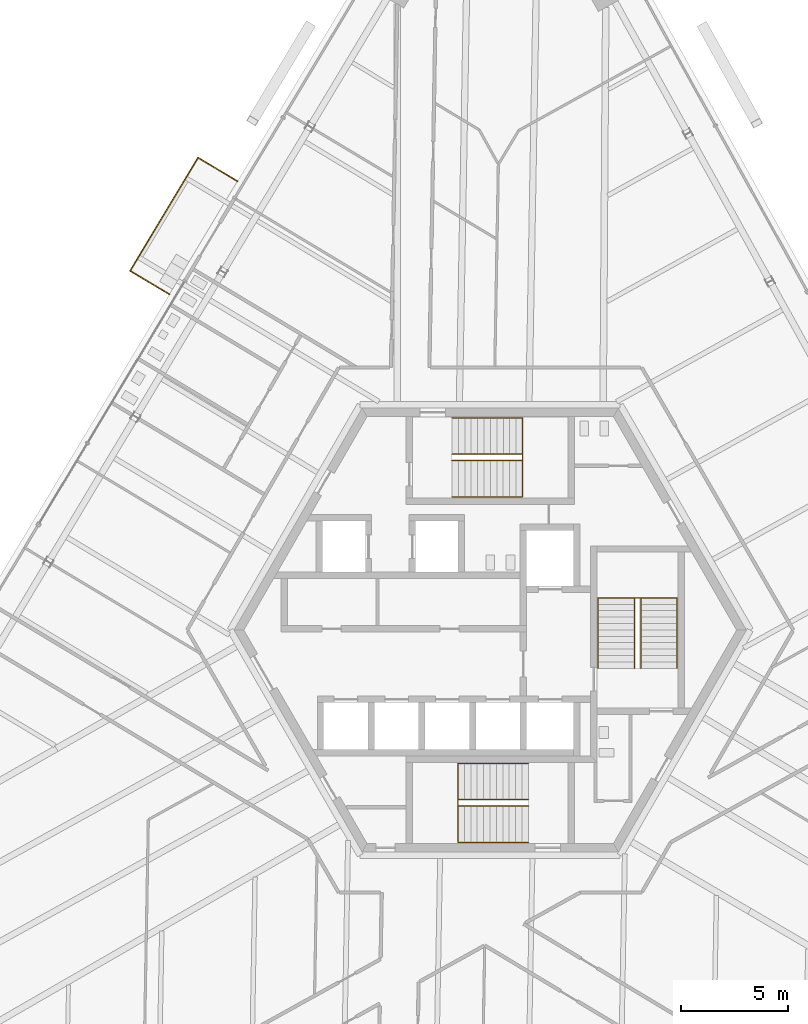
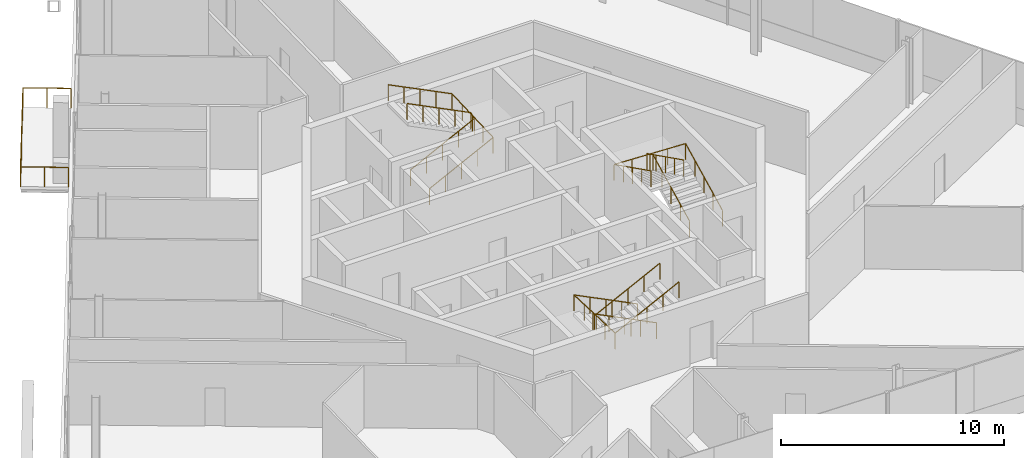
# One storey, part 16 of 19: 7 railings.
"""IFC4 building model written with IfcOpenShell, lengths in metres."""

import ifcopenshell
import ifcopenshell.guid

model = None  # the IFC model being written
_history = None  # IfcOwnerHistory: only IFC2X3 demands one
_inside = {}  # id of a spatial element -> (the spatial element, [elements in it])
_under = {}  # id of a project, library or spatial element -> (it, [spatial elements below it])
_declared = {}  # id of a project -> (the project, [libraries it declares])
_typed = {}  # id of a type object -> (the type object, [elements of that type])
_made_of = {}  # id of a material, layer set ... -> (it, [elements and type objects made of it])


def new_model(schema):
    """Start an empty IFC model of exactly this schema.

    Asked for "IFC4X3", IfcOpenShell would pick the latest addendum, in which some entities
    have other attributes; the version numbers below select the first issue.
    IFC2X3 requires an IfcOwnerHistory on every rooted entity: one is made here for all.
    """
    global model, _history
    if schema == "IFC4X3":
        model = ifcopenshell.file(schema_version=(4, 3, 0, 0))
    else:
        model = ifcopenshell.file(schema=schema)
    _inside.clear()
    _under.clear()
    _declared.clear()
    _typed.clear()
    _made_of.clear()
    _history = None
    if model.schema == "IFC2X3":
        org = make("IfcOrganization", Name="unknown")
        user = make(
            "IfcPersonAndOrganization",
            ThePerson=make("IfcPerson", FamilyName="unknown"),
            TheOrganization=org,
        )
        app = make(
            "IfcApplication",
            ApplicationDeveloper=org,
            Version="unknown",
            ApplicationFullName="unknown",
            ApplicationIdentifier="unknown",
        )
        _history = make(
            "IfcOwnerHistory",
            OwningUser=user,
            OwningApplication=app,
            ChangeAction="ADDED",
            CreationDate=0,
        )
    return model


def make(cls, **values):
    """One entity of the class cls with the attributes given. An attribute that is None is left unset."""
    return model.create_entity(
        cls, **{name: value for name, value in values.items() if value is not None}
    )


def rooted(cls, **values):
    """An entity with a GlobalId (a new one), such as an element, a storey or a relation."""
    return make(cls, GlobalId=ifcopenshell.guid.new(), OwnerHistory=_history, **values)


def si_unit(unit_type, name, prefix=None):
    """IfcSIUnit, for example si_unit("LENGTHUNIT", "METRE", prefix="MILLI")."""
    return make("IfcSIUnit", UnitType=unit_type, Prefix=prefix, Name=name)


def assignment(units):
    """IfcUnitAssignment: the units of a project."""
    return None if units is None else make("IfcUnitAssignment", Units=units)


def point(xyz):
    """IfcCartesianPoint."""
    return None if xyz is None else make("IfcCartesianPoint", Coordinates=xyz)


def direction(xyz):
    """IfcDirection."""
    return None if xyz is None else make("IfcDirection", DirectionRatios=xyz)


def frame(location, z_axis=None, x_axis=None):
    """IfcAxis2Placement3D, a coordinate frame: its origin and axes. An axis left out is left unset."""
    return make(
        "IfcAxis2Placement3D",
        Location=point(location),
        Axis=direction(z_axis),
        RefDirection=direction(x_axis),
    )


def frame_2d(location, x_axis=None):
    """IfcAxis2Placement2D, a coordinate frame in the plane: its origin and x axis."""
    return make(
        "IfcAxis2Placement2D", Location=point(location), RefDirection=direction(x_axis)
    )


def origin():
    """The frame at (0, 0, 0) with its axes left unset."""
    return frame((0.0, 0.0, 0.0))


def origin_2d():
    """The frame at (0, 0) in the plane with its x axis left unset."""
    return frame_2d((0.0, 0.0))


def place(relative_to, where):
    """IfcLocalPlacement: puts the frame where relative to a parent placement (None: the world)."""
    return make(
        "IfcLocalPlacement", PlacementRelTo=relative_to, RelativePlacement=where
    )


def context(
    kind, dimensions, precision=None, world=None, true_north=None, identifier=None
):
    """IfcGeometricRepresentationContext, for example the 3D "Model" context."""
    return make(
        "IfcGeometricRepresentationContext",
        ContextIdentifier=identifier,
        ContextType=kind,
        CoordinateSpaceDimension=dimensions,
        Precision=precision,
        WorldCoordinateSystem=world,
        TrueNorth=true_north,
    )


def subcontext(parent, identifier, kind, view, scale=None):
    """IfcGeometricRepresentationSubContext, for example "Body" below "Model"."""
    return make(
        "IfcGeometricRepresentationSubContext",
        ContextIdentifier=identifier,
        ContextType=kind,
        ParentContext=parent,
        TargetScale=scale,
        TargetView=view,
    )


def project(units=None, contexts=None):
    """IfcProject with its units and contexts."""
    return rooted(
        "IfcProject",
        Name="project",
        RepresentationContexts=contexts,
        UnitsInContext=assignment(units),
    )


def spatial(cls, under=None, at=None, **own):
    """A site, building, storey or space (cls), placed at a placement, below another one or the project."""
    s = rooted(cls, ObjectPlacement=at, **own)
    if under is not None:
        _under.setdefault(under.id(), (under, []))[1].append(s)
    return s


def profile(cls, at=None, kind="AREA", **sizes):
    """A parametric profile (cls). Its sizes go by their IFC names, for example OverallWidth=200.0."""
    return make(cls, ProfileType=kind, Position=at, **sizes)


def circle(**sizes):
    """IfcCircleProfileDef."""
    return profile("IfcCircleProfileDef", **sizes)


def extrude(swept, where, along, depth):
    """IfcExtrudedAreaSolid: the profile swept, set in the frame where, extruded along a direction by depth."""
    return make(
        "IfcExtrudedAreaSolid",
        SweptArea=swept,
        Position=where,
        ExtrudedDirection=direction(along),
        Depth=depth,
    )


def shape(context_of_items, identifier, shape_type, items):
    """IfcShapeRepresentation: the items that make up one representation, for example the "Body"."""
    return make(
        "IfcShapeRepresentation",
        ContextOfItems=context_of_items,
        RepresentationIdentifier=identifier,
        RepresentationType=shape_type,
        Items=items,
    )


def source(mapping_origin, context_of_items, identifier, shape_type, items):
    """IfcRepresentationMap: a shape defined once, which mapped items show again and again."""
    return make(
        "IfcRepresentationMap",
        MappingOrigin=mapping_origin,
        MappedRepresentation=shape(context_of_items, identifier, shape_type, items),
    )


def transform(
    local_origin,
    x_axis=None,
    y_axis=None,
    z_axis=None,
    scale=None,
    scale2=None,
    scale3=None,
    uniform=True,
):
    """IfcCartesianTransformationOperator3D, or its non-uniform kind. x_axis, y_axis, z_axis: its Axis1, 2, 3."""
    if uniform:
        return make(
            "IfcCartesianTransformationOperator3D",
            Axis1=direction(x_axis),
            Axis2=direction(y_axis),
            LocalOrigin=point(local_origin),
            Scale=scale,
            Axis3=direction(z_axis),
        )
    return make(
        "IfcCartesianTransformationOperator3DnonUniform",
        Axis1=direction(x_axis),
        Axis2=direction(y_axis),
        LocalOrigin=point(local_origin),
        Scale=scale,
        Axis3=direction(z_axis),
        Scale2=scale2,
        Scale3=scale3,
    )


def mapped(mapping_source, mapping_target):
    """IfcMappedItem: shows the shape of a source again, moved by a transform."""
    return make(
        "IfcMappedItem", MappingSource=mapping_source, MappingTarget=mapping_target
    )


def material(Name=None, Category=None):
    """IfcMaterial."""
    return make("IfcMaterial", Name=Name, Category=Category)


def made_of(thing, what):
    """Note that an element or type object is made of a material, layer set ...; save() writes the relation."""
    if what is not None:
        _made_of.setdefault(what.id(), (what, []))[1].append(thing)
    return thing


def type_object(cls, material=None, **own):
    """A type object (cls), such as IfcWallType, which elements share."""
    return made_of(rooted(cls, **own), material)


def element(
    cls,
    number,
    at=None,
    inside=None,
    cuts=None,
    type_object=None,
    material=None,
    context=None,
    identifier="Body",
    shape_type=None,
    held_by="IfcProductDefinitionShape",
    body=None,
    shapes=None,
    **own,
):
    """One element of the class cls, such as IfcWall. Its Tag is "e" and its number.

    at: its placement. inside: the storey or other place that contains it. cuts: it is an
    opening in that element (IfcRelVoidsElement). A single representation is given by context,
    identifier, shape_type and body (its items); several are given by shapes. held_by: the class
    of the entity that holds the representations. save() writes the other relations.
    """
    e = rooted(cls, Tag="e%d" % number, ObjectPlacement=at, **own)
    if body is not None:
        shapes = [shape(context, identifier, shape_type, body)]
    if shapes is not None:
        e.Representation = make(held_by, Representations=shapes)
    if inside is not None:
        _inside.setdefault(inside.id(), (inside, []))[1].append(e)
    if cuts is not None:
        rooted(
            "IfcRelVoidsElement", RelatingBuildingElement=cuts, RelatedOpeningElement=e
        )
    if type_object is not None:
        _typed.setdefault(type_object.id(), (type_object, []))[1].append(e)
    return made_of(e, material)


def aggregate(whole, parts):
    """IfcRelAggregates: a whole, such as a stair, and the parts it consists of."""
    return rooted("IfcRelAggregates", RelatingObject=whole, RelatedObjects=parts)


def save(model, path):
    """Write the relations noted so far, then the file.

    IfcRelAggregates (storeys below a building ...), IfcRelContainedInSpatialStructure (elements
    in a storey), IfcRelDefinesByType, IfcRelAssociatesMaterial and IfcRelDeclares: one each for
    every whole, place, type object, material and project.
    """
    for whole, parts in _under.values():
        aggregate(whole, parts)
    for where, things in _inside.values():
        rooted(
            "IfcRelContainedInSpatialStructure",
            RelatedElements=things,
            RelatingStructure=where,
        )
    for kind, things in _typed.values():
        rooted("IfcRelDefinesByType", RelatedObjects=things, RelatingType=kind)
    for what, things in _made_of.values():
        rooted("IfcRelAssociatesMaterial", RelatedObjects=things, RelatingMaterial=what)
    for by, libraries in _declared.values():
        rooted("IfcRelDeclares", RelatingContext=by, RelatedDefinitions=libraries)
    model.write(path)


model = new_model("IFC4")

# Units and contexts
model_context = context("Model", 3, precision=1e-05, world=origin(), true_north=direction((0.0, 1.0)))
body_context = subcontext(model_context, "Body", "Model", "MODEL_VIEW")
ifc_project = project(units=[si_unit("LENGTHUNIT", "METRE"), si_unit("AREAUNIT", "SQUARE_METRE"), si_unit("VOLUMEUNIT", "CUBIC_METRE"), si_unit("PLANEANGLEUNIT", "RADIAN"), si_unit("MASSUNIT", "GRAM", prefix="KILO")], contexts=[model_context])

# Site, building, storey
site_placement = place(None, origin())
site = spatial("IfcSite", under=ifc_project, at=site_placement, CompositionType="ELEMENT")
building_placement = place(site_placement, origin())
building = spatial("IfcBuilding", under=site, at=building_placement, Name="Triune Harvest Tower", CompositionType="ELEMENT")
storey_placement = place(building_placement, frame((0.0, 0.0, 183.5)))
storey = spatial("IfcBuildingStorey", under=building, at=storey_placement, Name="L47", CompositionType="ELEMENT", Elevation=183.5)

# Railings
ifc_material_1 = material(Name="Stainless steel AISI 316", Category="steel")
railing_type_1 = type_object("IfcRailingType", Name="Stair handrail", PredefinedType="HANDRAIL", material=ifc_material_1)
shared_shape_1 = source(origin(), body_context, "Body", "SweptSolid", [
    extrude(circle(Radius=0.02392578125, at=origin_2d()), frame((0.0, 0.0, 0.8759765625), z_axis=(0.894413956696, 0.0, 0.447240063129), x_axis=(0.0, 1.0, 0.0)), (0.0, 0.0, 1.0), 3.689697265625),
    extrude(circle(Radius=0.02392578125, at=origin_2d()), frame((3.300048828125, 0.0, 2.52587890625), z_axis=(0.0, 0.999180289278, 0.040481471304), x_axis=(-1.0, 0.0, 0.0)), (0.0, 0.0, 1.0), 3.702880859375),
    extrude(circle(Radius=0.02392578125, at=origin_2d()), frame((3.300048828125, 3.699951171875, 2.67578125), z_axis=(-0.894413956696, 0.0, 0.447240063129), x_axis=(0.0, -1.0, 0.0)), (0.0, 0.0, 1.0), 3.689697265625),
    extrude(circle(Radius=0.02099609375, at=origin_2d()), origin(), (0.0, 0.0, 1.0), 0.851806640625),
    extrude(circle(Radius=0.02099609375, at=origin_2d()), frame((0.824951171875, 0.0, 0.41259765625)), (0.0, 0.0, 1.0), 0.851806640625),
    extrude(circle(Radius=0.02099609375, at=origin_2d()), frame((1.64990234375, 0.0, 0.8251953125)), (0.0, 0.0, 1.0), 0.851806640625),
    extrude(circle(Radius=0.02099609375, at=origin_2d()), frame((2.47509765625, 0.0, 1.237548828125)), (0.0, 0.0, 1.0), 0.851806640625),
    extrude(circle(Radius=0.02099609375, at=origin_2d()), frame((3.300048828125, 0.0, 1.650146484375)), (0.0, 0.0, 1.0), 0.851806640625),
    extrude(circle(Radius=0.02099609375, at=origin_2d()), frame((3.300048828125, 0.925048828125, 1.6875)), (0.0, 0.0, 1.0), 0.851806640625),
    extrude(circle(Radius=0.02099609375, at=origin_2d()), frame((3.300048828125, 1.85009765625, 1.72509765625)), (0.0, 0.0, 1.0), 0.851806640625),
    extrude(circle(Radius=0.02099609375, at=origin_2d()), frame((3.300048828125, 2.77490234375, 1.7626953125)), (0.0, 0.0, 1.0), 0.851806640625),
    extrude(circle(Radius=0.02099609375, at=origin_2d()), frame((3.300048828125, 3.699951171875, 1.800048828125)), (0.0, 0.0, 1.0), 0.851806640625),
    extrude(circle(Radius=0.02099609375, at=origin_2d()), frame((2.47509765625, 3.699951171875, 2.212646484375)), (0.0, 0.0, 1.0), 0.851806640625),
    extrude(circle(Radius=0.02099609375, at=origin_2d()), frame((1.64990234375, 3.699951171875, 2.625)), (0.0, 0.0, 1.0), 0.851806640625),
    extrude(circle(Radius=0.02099609375, at=origin_2d()), frame((0.824951171875, 3.699951171875, 3.03759765625)), (0.0, 0.0, 1.0), 0.851806640625),
    extrude(circle(Radius=0.02099609375, at=origin_2d()), frame((0.0, 3.699951171875, 3.4501953125)), (0.0, 0.0, 1.0), 0.851806640625),
])
railing_1_placement = place(storey_placement, frame((-1.7900390625, 6.239990234375, 0.14990234375)))
element("IfcRailing", 1, at=railing_1_placement, inside=storey, type_object=railing_type_1, Name="Exit stair north wall handrail", PredefinedType="HANDRAIL", context=body_context, shape_type="MappedRepresentation", body=[
    mapped(shared_shape_1, transform((0.0, 0.0, 0.0), scale=1.0)),
])
shared_shape_2 = source(origin(), body_context, "Body", "SweptSolid", [
    extrude(circle(Radius=0.02392578125, at=origin_2d()), frame((0.0, 0.0, 0.8759765625), z_axis=(0.894413956696, 0.0, 0.447240063129), x_axis=(0.0, 1.0, 0.0)), (0.0, 0.0, 1.0), 3.689697265625),
    extrude(circle(Radius=0.02392578125, at=origin_2d()), frame((3.300048828125, 0.0, 2.52587890625), z_axis=(0.0, 0.894572720946, 0.446922417137), x_axis=(-1.0, 0.0, 0.0)), (0.0, 0.0, 1.0), 0.33544921875),
    extrude(circle(Radius=0.02392578125, at=origin_2d()), frame((3.300048828125, 0.300048828125, 2.67578125), z_axis=(-0.894413956696, 0.0, 0.447240063129), x_axis=(0.0, -1.0, 0.0)), (0.0, 0.0, 1.0), 3.689697265625),
    extrude(circle(Radius=0.02099609375, at=origin_2d()), origin(), (0.0, 0.0, 1.0), 0.851806640625),
    extrude(circle(Radius=0.02099609375, at=origin_2d()), frame((0.824951171875, 0.0, 0.41259765625)), (0.0, 0.0, 1.0), 0.851806640625),
    extrude(circle(Radius=0.02099609375, at=origin_2d()), frame((1.64990234375, 0.0, 0.8251953125)), (0.0, 0.0, 1.0), 0.851806640625),
    extrude(circle(Radius=0.02099609375, at=origin_2d()), frame((2.47509765625, 0.0, 1.237548828125)), (0.0, 0.0, 1.0), 0.851806640625),
    extrude(circle(Radius=0.02099609375, at=origin_2d()), frame((3.300048828125, 0.0, 1.650146484375)), (0.0, 0.0, 1.0), 0.851806640625),
    extrude(circle(Radius=0.02099609375, at=origin_2d()), frame((3.300048828125, 0.300048828125, 1.800048828125)), (0.0, 0.0, 1.0), 0.851806640625),
    extrude(circle(Radius=0.02099609375, at=origin_2d()), frame((2.47509765625, 0.300048828125, 2.212646484375)), (0.0, 0.0, 1.0), 0.851806640625),
    extrude(circle(Radius=0.02099609375, at=origin_2d()), frame((1.64990234375, 0.300048828125, 2.625)), (0.0, 0.0, 1.0), 0.851806640625),
    extrude(circle(Radius=0.02099609375, at=origin_2d()), frame((0.824951171875, 0.300048828125, 3.03759765625)), (0.0, 0.0, 1.0), 0.851806640625),
    extrude(circle(Radius=0.02099609375, at=origin_2d()), frame((0.0, 0.300048828125, 3.4501953125)), (0.0, 0.0, 1.0), 0.851806640625),
])
railing_2_placement = place(storey_placement, frame((-1.7900390625, 7.93994140625, 0.14990234375)))
element("IfcRailing", 2, at=railing_2_placement, inside=storey, type_object=railing_type_1, Name="Exit stair north centre handrail", PredefinedType="HANDRAIL", context=body_context, shape_type="MappedRepresentation", body=[
    mapped(shared_shape_2, transform((0.0, 0.0, 0.0), scale=1.0)),
])
shared_shape_3 = source(origin(), body_context, "Body", "SweptSolid", [
    extrude(circle(Radius=0.02392578125, at=origin_2d()), frame((0.0, 0.0, 0.8759765625), z_axis=(-0.894413956696, 0.0, 0.447240063129), x_axis=(0.0, -1.0, 0.0)), (0.0, 0.0, 1.0), 3.689697265625),
    extrude(circle(Radius=0.02392578125, at=origin_2d()), frame((-3.300048828125, 0.0, 2.52587890625), z_axis=(0.0, -0.999180289278, 0.040481471304), x_axis=(1.0, 0.0, 0.0)), (0.0, 0.0, 1.0), 3.702880859375),
    extrude(circle(Radius=0.02392578125, at=origin_2d()), frame((-3.300048828125, -3.699951171875, 2.67578125), z_axis=(0.894413956696, 0.0, 0.447240063129), x_axis=(0.0, 1.0, 0.0)), (0.0, 0.0, 1.0), 3.689697265625),
    extrude(circle(Radius=0.02099609375, at=origin_2d()), origin(), (0.0, 0.0, 1.0), 0.851806640625),
    extrude(circle(Radius=0.02099609375, at=origin_2d()), frame((-0.824951171875, 0.0, 0.41259765625)), (0.0, 0.0, 1.0), 0.851806640625),
    extrude(circle(Radius=0.02099609375, at=origin_2d()), frame((-1.64990234375, 0.0, 0.8251953125)), (0.0, 0.0, 1.0), 0.851806640625),
    extrude(circle(Radius=0.02099609375, at=origin_2d()), frame((-2.47509765625, 0.0, 1.237548828125)), (0.0, 0.0, 1.0), 0.851806640625),
    extrude(circle(Radius=0.02099609375, at=origin_2d()), frame((-3.300048828125, 0.0, 1.650146484375)), (0.0, 0.0, 1.0), 0.851806640625),
    extrude(circle(Radius=0.02099609375, at=origin_2d()), frame((-3.300048828125, -0.925048828125, 1.6875)), (0.0, 0.0, 1.0), 0.851806640625),
    extrude(circle(Radius=0.02099609375, at=origin_2d()), frame((-3.300048828125, -1.85009765625, 1.72509765625)), (0.0, 0.0, 1.0), 0.851806640625),
    extrude(circle(Radius=0.02099609375, at=origin_2d()), frame((-3.300048828125, -2.77490234375, 1.7626953125)), (0.0, 0.0, 1.0), 0.851806640625),
    extrude(circle(Radius=0.02099609375, at=origin_2d()), frame((-3.300048828125, -3.699951171875, 1.800048828125)), (0.0, 0.0, 1.0), 0.851806640625),
    extrude(circle(Radius=0.02099609375, at=origin_2d()), frame((-2.47509765625, -3.699951171875, 2.212646484375)), (0.0, 0.0, 1.0), 0.851806640625),
    extrude(circle(Radius=0.02099609375, at=origin_2d()), frame((-1.64990234375, -3.699951171875, 2.625)), (0.0, 0.0, 1.0), 0.851806640625),
    extrude(circle(Radius=0.02099609375, at=origin_2d()), frame((-0.824951171875, -3.699951171875, 3.03759765625)), (0.0, 0.0, 1.0), 0.851806640625),
    extrude(circle(Radius=0.02099609375, at=origin_2d()), frame((0.0, -3.699951171875, 3.4501953125)), (0.0, 0.0, 1.0), 0.851806640625),
])
railing_3_placement = place(storey_placement, frame((1.7900390625, -6.239990234375, 0.14990234375)))
element("IfcRailing", 3, at=railing_3_placement, inside=storey, type_object=railing_type_1, Name="Exit stair south wall handrail", PredefinedType="HANDRAIL", context=body_context, shape_type="MappedRepresentation", body=[
    mapped(shared_shape_3, transform((0.0, 0.0, 0.0), scale=1.0)),
])
shared_shape_4 = source(origin(), body_context, "Body", "SweptSolid", [
    extrude(circle(Radius=0.02392578125, at=origin_2d()), frame((0.0, 0.0, 0.8759765625), z_axis=(-0.894413956696, 0.0, 0.447240063129), x_axis=(0.0, -1.0, 0.0)), (0.0, 0.0, 1.0), 3.689697265625),
    extrude(circle(Radius=0.02392578125, at=origin_2d()), frame((-3.300048828125, 0.0, 2.52587890625), z_axis=(0.0, -0.894572720946, 0.446922417137), x_axis=(1.0, 0.0, 0.0)), (0.0, 0.0, 1.0), 0.33544921875),
    extrude(circle(Radius=0.02392578125, at=origin_2d()), frame((-3.300048828125, -0.300048828125, 2.67578125), z_axis=(0.894413956696, 0.0, 0.447240063129), x_axis=(0.0, 1.0, 0.0)), (0.0, 0.0, 1.0), 3.689697265625),
    extrude(circle(Radius=0.02099609375, at=origin_2d()), origin(), (0.0, 0.0, 1.0), 0.851806640625),
    extrude(circle(Radius=0.02099609375, at=origin_2d()), frame((-0.824951171875, 0.0, 0.41259765625)), (0.0, 0.0, 1.0), 0.851806640625),
    extrude(circle(Radius=0.02099609375, at=origin_2d()), frame((-1.64990234375, 0.0, 0.8251953125)), (0.0, 0.0, 1.0), 0.851806640625),
    extrude(circle(Radius=0.02099609375, at=origin_2d()), frame((-2.47509765625, 0.0, 1.237548828125)), (0.0, 0.0, 1.0), 0.851806640625),
    extrude(circle(Radius=0.02099609375, at=origin_2d()), frame((-3.300048828125, 0.0, 1.650146484375)), (0.0, 0.0, 1.0), 0.851806640625),
    extrude(circle(Radius=0.02099609375, at=origin_2d()), frame((-3.300048828125, -0.300048828125, 1.800048828125)), (0.0, 0.0, 1.0), 0.851806640625),
    extrude(circle(Radius=0.02099609375, at=origin_2d()), frame((-2.47509765625, -0.300048828125, 2.212646484375)), (0.0, 0.0, 1.0), 0.851806640625),
    extrude(circle(Radius=0.02099609375, at=origin_2d()), frame((-1.64990234375, -0.300048828125, 2.625)), (0.0, 0.0, 1.0), 0.851806640625),
    extrude(circle(Radius=0.02099609375, at=origin_2d()), frame((-0.824951171875, -0.300048828125, 3.03759765625)), (0.0, 0.0, 1.0), 0.851806640625),
    extrude(circle(Radius=0.02099609375, at=origin_2d()), frame((0.0, -0.300048828125, 3.4501953125)), (0.0, 0.0, 1.0), 0.851806640625),
])
railing_4_placement = place(storey_placement, frame((1.7900390625, -7.93994140625, 0.14990234375)))
element("IfcRailing", 4, at=railing_4_placement, inside=storey, type_object=railing_type_1, Name="Exit stair south centre handrail", PredefinedType="HANDRAIL", context=body_context, shape_type="MappedRepresentation", body=[
    mapped(shared_shape_4, transform((0.0, 0.0, 0.0), scale=1.0)),
])
shared_shape_5 = source(origin(), body_context, "Body", "SweptSolid", [
    extrude(circle(Radius=0.02392578125, at=origin_2d()), frame((0.0, 0.0, 0.8759765625), z_axis=(0.0, 0.894413956696, 0.447240063129), x_axis=(-1.0, 0.0, 0.0)), (0.0, 0.0, 1.0), 3.689697265625),
    extrude(circle(Radius=0.02392578125, at=origin_2d()), frame((0.0, 3.300048828125, 2.52587890625), z_axis=(-0.999180289278, 0.0, 0.040481471304), x_axis=(0.0, -1.0, 0.0)), (0.0, 0.0, 1.0), 3.702880859375),
    extrude(circle(Radius=0.02392578125, at=origin_2d()), frame((-3.699951171875, 3.300048828125, 2.67578125), z_axis=(0.0, -0.894413956696, 0.447240063129), x_axis=(1.0, 0.0, 0.0)), (0.0, 0.0, 1.0), 3.689697265625),
    extrude(circle(Radius=0.02099609375, at=origin_2d()), origin(), (0.0, 0.0, 1.0), 0.851806640625),
    extrude(circle(Radius=0.02099609375, at=origin_2d()), frame((0.0, 0.824951171875, 0.41259765625)), (0.0, 0.0, 1.0), 0.851806640625),
    extrude(circle(Radius=0.02099609375, at=origin_2d()), frame((0.0, 1.64990234375, 0.8251953125)), (0.0, 0.0, 1.0), 0.851806640625),
    extrude(circle(Radius=0.02099609375, at=origin_2d()), frame((0.0, 2.47509765625, 1.237548828125)), (0.0, 0.0, 1.0), 0.851806640625),
    extrude(circle(Radius=0.02099609375, at=origin_2d()), frame((0.0, 3.300048828125, 1.650146484375)), (0.0, 0.0, 1.0), 0.851806640625),
    extrude(circle(Radius=0.02099609375, at=origin_2d()), frame((-0.925048828125, 3.300048828125, 1.6875)), (0.0, 0.0, 1.0), 0.851806640625),
    extrude(circle(Radius=0.02099609375, at=origin_2d()), frame((-1.85009765625, 3.300048828125, 1.72509765625)), (0.0, 0.0, 1.0), 0.851806640625),
    extrude(circle(Radius=0.02099609375, at=origin_2d()), frame((-2.77490234375, 3.300048828125, 1.7626953125)), (0.0, 0.0, 1.0), 0.851806640625),
    extrude(circle(Radius=0.02099609375, at=origin_2d()), frame((-3.699951171875, 3.300048828125, 1.800048828125)), (0.0, 0.0, 1.0), 0.851806640625),
    extrude(circle(Radius=0.02099609375, at=origin_2d()), frame((-3.699951171875, 2.47509765625, 2.212646484375)), (0.0, 0.0, 1.0), 0.851806640625),
    extrude(circle(Radius=0.02099609375, at=origin_2d()), frame((-3.699951171875, 1.64990234375, 2.625)), (0.0, 0.0, 1.0), 0.851806640625),
    extrude(circle(Radius=0.02099609375, at=origin_2d()), frame((-3.699951171875, 0.824951171875, 3.03759765625)), (0.0, 0.0, 1.0), 0.851806640625),
    extrude(circle(Radius=0.02099609375, at=origin_2d()), frame((-3.699951171875, 0.0, 3.4501953125)), (0.0, 0.0, 1.0), 0.851806640625),
])
railing_5_placement = place(storey_placement, frame((8.75, -1.7900390625, 0.14990234375)))
element("IfcRailing", 5, at=railing_5_placement, inside=storey, type_object=railing_type_1, Name="Exit stair east wall handrail", PredefinedType="HANDRAIL", context=body_context, shape_type="MappedRepresentation", body=[
    mapped(shared_shape_5, transform((0.0, 0.0, 0.0), scale=1.0)),
])
shared_shape_6 = source(origin(), body_context, "Body", "SweptSolid", [
    extrude(circle(Radius=0.02392578125, at=origin_2d()), frame((0.0, 0.0, 0.8759765625), z_axis=(0.0, 0.894413956696, 0.447240063129), x_axis=(-1.0, 0.0, 0.0)), (0.0, 0.0, 1.0), 3.689697265625),
    extrude(circle(Radius=0.02392578125, at=origin_2d()), frame((0.0, 3.300048828125, 2.52587890625), z_axis=(-0.894572720946, 0.0, 0.446922417137), x_axis=(0.0, -1.0, 0.0)), (0.0, 0.0, 1.0), 0.33544921875),
    extrude(circle(Radius=0.02392578125, at=origin_2d()), frame((-0.300048828125, 3.300048828125, 2.67578125), z_axis=(0.0, -0.894413956696, 0.447240063129), x_axis=(1.0, 0.0, 0.0)), (0.0, 0.0, 1.0), 3.689697265625),
    extrude(circle(Radius=0.02099609375, at=origin_2d()), origin(), (0.0, 0.0, 1.0), 0.851806640625),
    extrude(circle(Radius=0.02099609375, at=origin_2d()), frame((0.0, 0.824951171875, 0.41259765625)), (0.0, 0.0, 1.0), 0.851806640625),
    extrude(circle(Radius=0.02099609375, at=origin_2d()), frame((0.0, 1.64990234375, 0.8251953125)), (0.0, 0.0, 1.0), 0.851806640625),
    extrude(circle(Radius=0.02099609375, at=origin_2d()), frame((0.0, 2.47509765625, 1.237548828125)), (0.0, 0.0, 1.0), 0.851806640625),
    extrude(circle(Radius=0.02099609375, at=origin_2d()), frame((0.0, 3.300048828125, 1.650146484375)), (0.0, 0.0, 1.0), 0.851806640625),
    extrude(circle(Radius=0.02099609375, at=origin_2d()), frame((-0.300048828125, 3.300048828125, 1.800048828125)), (0.0, 0.0, 1.0), 0.851806640625),
    extrude(circle(Radius=0.02099609375, at=origin_2d()), frame((-0.300048828125, 2.47509765625, 2.212646484375)), (0.0, 0.0, 1.0), 0.851806640625),
    extrude(circle(Radius=0.02099609375, at=origin_2d()), frame((-0.300048828125, 1.64990234375, 2.625)), (0.0, 0.0, 1.0), 0.851806640625),
    extrude(circle(Radius=0.02099609375, at=origin_2d()), frame((-0.300048828125, 0.824951171875, 3.03759765625)), (0.0, 0.0, 1.0), 0.851806640625),
    extrude(circle(Radius=0.02099609375, at=origin_2d()), frame((-0.300048828125, 0.0, 3.4501953125)), (0.0, 0.0, 1.0), 0.851806640625),
])
railing_6_placement = place(storey_placement, frame((7.050048828125, -1.7900390625, 0.14990234375)))
element("IfcRailing", 6, at=railing_6_placement, inside=storey, type_object=railing_type_1, Name="Exit stair east centre handrail", PredefinedType="HANDRAIL", context=body_context, shape_type="MappedRepresentation", body=[
    mapped(shared_shape_6, transform((0.0, 0.0, 0.0), scale=1.0)),
])
ifc_material_2 = material(Name="Glass", Category="glass")
railing_type_2 = type_object("IfcRailingType", Name="GD-2 balcony guard 1100", PredefinedType="GUARDRAIL", material=ifc_material_2)
shared_shape_7 = source(origin(), body_context, "Body", "SweptSolid", [
    extrude(circle(Radius=0.02392578125, at=origin_2d()), frame((0.0, 0.0, 1.076171875), z_axis=(-0.857171813398, 0.515030564448, 0.0), x_axis=(-0.515030564448, -0.857171813398, 0.0)), (0.0, 0.0, 1.0), 2.14794921875),
    extrude(circle(Radius=0.02392578125, at=origin_2d()), frame((-1.841064453125, 1.106201171875, 1.076171875), z_axis=(-0.515058688482, -0.857154914481, 0.0), x_axis=(0.857154914481, -0.515058688482, 0.0)), (0.0, 0.0, 1.0), 6.185302734375),
    extrude(circle(Radius=0.02392578125, at=origin_2d()), frame((-5.02685546875, -4.195556640625, 1.076171875), z_axis=(0.857151786038, -0.515063894766, 0.0), x_axis=(0.515063894766, 0.857151786038, 0.0)), (0.0, 0.0, 1.0), 2.148193359375),
    extrude(circle(Radius=0.02099609375, at=origin_2d()), origin(), (0.0, 0.0, 1.0), 1.052001953125),
    extrude(circle(Radius=0.02099609375, at=origin_2d()), frame((-0.92041015625, 0.55322265625, 0.0)), (0.0, 0.0, 1.0), 1.052001953125),
    extrude(circle(Radius=0.02099609375, at=origin_2d()), frame((-1.841064453125, 1.106201171875, 0.0)), (0.0, 0.0, 1.0), 1.052001953125),
    extrude(circle(Radius=0.02099609375, at=origin_2d()), frame((-2.3720703125, 0.22265625, 0.0)), (0.0, 0.0, 1.0), 1.052001953125),
    extrude(circle(Radius=0.02099609375, at=origin_2d()), frame((-2.903076171875, -0.6611328125, 0.0)), (0.0, 0.0, 1.0), 1.052001953125),
    extrude(circle(Radius=0.02099609375, at=origin_2d()), frame((-3.43408203125, -1.544677734375, 0.0)), (0.0, 0.0, 1.0), 1.052001953125),
    extrude(circle(Radius=0.02099609375, at=origin_2d()), frame((-3.96484375, -2.42822265625, 0.0)), (0.0, 0.0, 1.0), 1.052001953125),
    extrude(circle(Radius=0.02099609375, at=origin_2d()), frame((-4.495849609375, -3.31201171875, 0.0)), (0.0, 0.0, 1.0), 1.052001953125),
    extrude(circle(Radius=0.02099609375, at=origin_2d()), frame((-5.02685546875, -4.195556640625, 0.0)), (0.0, 0.0, 1.0), 1.052001953125),
    extrude(circle(Radius=0.02099609375, at=origin_2d()), frame((-4.106201171875, -4.748779296875, 0.0)), (0.0, 0.0, 1.0), 1.052001953125),
    extrude(circle(Radius=0.02099609375, at=origin_2d()), frame((-3.185546875, -5.302001953125, 0.0)), (0.0, 0.0, 1.0), 1.052001953125),
])
railing_7_placement = place(storey_placement, frame((-11.841064453125, 21.0224609375, 0.0)))
element("IfcRailing", 7, at=railing_7_placement, inside=storey, type_object=railing_type_2, Name="Balcony guard B5-F3 L47.4", PredefinedType="GUARDRAIL", context=body_context, shape_type="MappedRepresentation", body=[
    mapped(shared_shape_7, transform((0.0, 0.0, 0.0), scale=1.0)),
])

save(model, "model.ifc")
